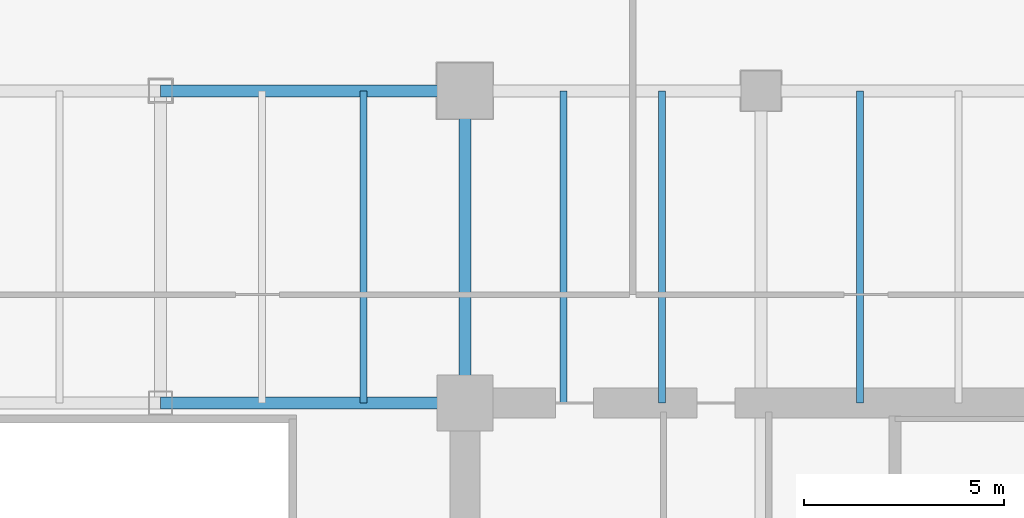
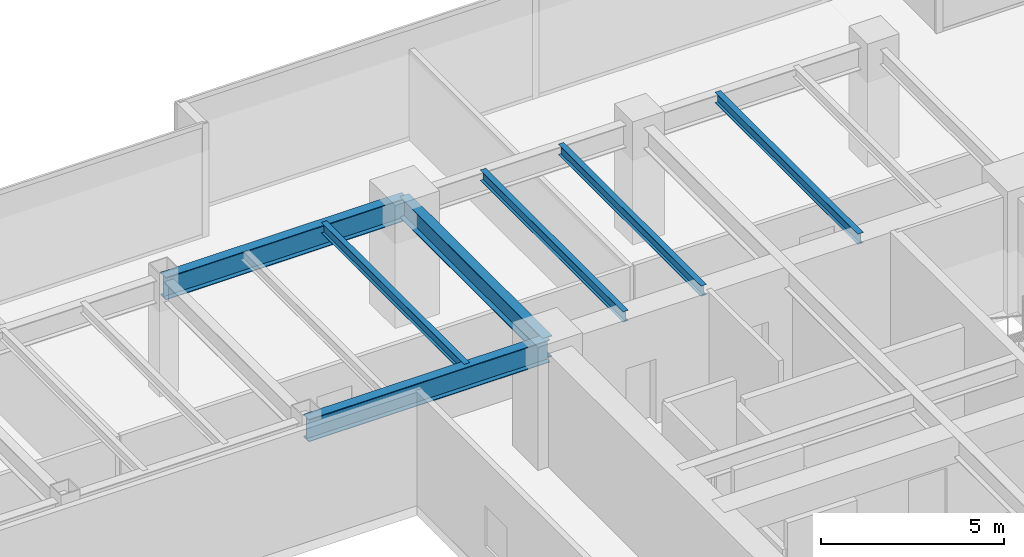
# One storey, part 19 of 36: 7 beams.
"""IFC4 building model written with IfcOpenShell, lengths in metres."""

from ifc_helpers import new_model, si_unit, direction, frame, origin, origin_2d, place, context, subcontext, project, spatial, i_section, extrude, source, transform, mapped, material, material_profile, profile_set, type_object, type_shapes, element, save


model = new_model("IFC4")

# Units and contexts
model_context = context("Model", 3, precision=1e-05, world=origin(), true_north=direction((0.0, 1.0)))
body_context = subcontext(model_context, "Body", "Model", "MODEL_VIEW")
ifc_project = project(units=[si_unit("LENGTHUNIT", "METRE"), si_unit("AREAUNIT", "SQUARE_METRE"), si_unit("VOLUMEUNIT", "CUBIC_METRE"), si_unit("PLANEANGLEUNIT", "RADIAN"), si_unit("MASSUNIT", "GRAM", prefix="KILO")], contexts=[model_context])

# Site, building, storey
site_placement = place(None, origin())
site = spatial("IfcSite", under=ifc_project, at=site_placement, CompositionType="ELEMENT")
building_placement = place(site_placement, origin())
building = spatial("IfcBuilding", under=site, at=building_placement, Name="Haelvirn Gate Laboratories", CompositionType="ELEMENT")
storey_placement = place(building_placement, frame((0.0, 0.0, 53.89990234375)))
storey = spatial("IfcBuildingStorey", under=building, at=storey_placement, Name="L13", CompositionType="ELEMENT", Elevation=53.89990234375)

# Beams
ifc_material = material(Name="Steel SM355", Category="steel")
ifc_material_profile_1 = material_profile(ifc_material, i_section(OverallWidth=0.300048828125, OverallDepth=0.699951171875, WebThickness=0.012939453125, FlangeThickness=0.02392578125, at=origin_2d()), Name="H-700x300x13x24")
ifc_profile_set_1 = profile_set([ifc_material_profile_1], Name="Steel SM355")
beam_type_1 = type_object("IfcBeamType", Name="BM-G-700", PredefinedType="BEAM", material=ifc_profile_set_1)
shared_shape_1 = source(origin(), body_context, "Body", "SweptSolid", [
    extrude(i_section(OverallWidth=0.300048828125, OverallDepth=0.699951171875, WebThickness=0.012939453125, FlangeThickness=0.02392578125, at=origin_2d()), origin(), (0.0, 0.0, 1.0), 7.800048828125),
])
type_shapes(beam_type_1, [shared_shape_1])
beam_placement = place(storey_placement, frame((52.60009765625, 33.800048828125, 3.43017578125), z_axis=(0.0, 1.0, 0.0), x_axis=(-1.0, 0.0, 0.0)))
element("IfcBeam", 1, at=beam_placement, inside=storey, type_object=beam_type_1, Name="L13 Frame Girder X52.6 (33.8-41.6)", PredefinedType="BEAM", context=body_context, shape_type="MappedRepresentation", body=[
    mapped(shared_shape_1, transform((0.0, 0.0, 0.0), scale=1.0)),
])
ifc_material_profile_2 = material_profile(ifc_material, i_section(OverallWidth=0.300048828125, OverallDepth=0.75, WebThickness=0.013916015625, FlangeThickness=0.02392578125, at=origin_2d()), Name="H-750x300x14x24")
ifc_profile_set_2 = profile_set([ifc_material_profile_2], Name="Steel SM355")
beam_type_2 = type_object("IfcBeamType", Name="BM-G-750", PredefinedType="BEAM", material=ifc_profile_set_2)
shared_shape_2 = source(origin(), body_context, "Body", "SweptSolid", [
    extrude(i_section(OverallWidth=0.300048828125, OverallDepth=0.75, WebThickness=0.013916015625, FlangeThickness=0.02392578125, at=origin_2d()), origin(), (0.0, 0.0, 1.0), 7.60009765625),
])
type_shapes(beam_type_2, [shared_shape_2])
for number, where, z_axis, x_axis, name in (
    (2, (45.0, 33.800048828125, 3.405029296875), (1.0, 0.0, 0.0), (0.0, 1.0, 0.0), "L13 Primary Girder Y33.8 (45.0-52.6)"),
    (3, (45.0, 41.60009765625, 3.405029296875), (1.0, 0.0, 0.0), (0.0, 1.0, 0.0), "L13 Primary Girder Y41.6 (45.0-52.6)"),
):
    element("IfcBeam", number, at=place(storey_placement, frame(where, z_axis=z_axis, x_axis=x_axis)), inside=storey, type_object=beam_type_2, Name=name, PredefinedType="BEAM", context=body_context, shape_type="MappedRepresentation", body=[
        mapped(shared_shape_2, transform((0.0, 0.0, 0.0), scale=1.0)),
    ])
ifc_material_profile_3 = material_profile(ifc_material, i_section(OverallWidth=0.175048828125, OverallDepth=0.35009765625, WebThickness=0.007080078125, FlangeThickness=0.010986328125, at=origin_2d()), Name="H-350x175x7x11")
ifc_profile_set_3 = profile_set([ifc_material_profile_3], Name="Steel SM355")
beam_type_3 = type_object("IfcBeamType", Name="BM-J-350", PredefinedType="JOIST", material=ifc_profile_set_3)
shared_shape_3 = source(origin(), body_context, "Body", "SweptSolid", [
    extrude(i_section(OverallWidth=0.175048828125, OverallDepth=0.35009765625, WebThickness=0.007080078125, FlangeThickness=0.010986328125, at=origin_2d()), origin(), (0.0, 0.0, 1.0), 7.800048828125),
])
type_shapes(beam_type_3, [shared_shape_3])
for number, where, z_axis, x_axis, name in (
    (4, (50.070068359375, 33.800048828125, 3.60498046875), (0.0, 1.0, 0.0), (-1.0, 0.0, 0.0), "L13 Composite Lab Joist North X50.07"),
    (5, (55.070068359375, 33.800048828125, 3.60498046875), (0.0, 1.0, 0.0), (-1.0, 0.0, 0.0), "L13 Composite Lab Joist North X55.07"),
    (6, (57.530029296875, 33.800048828125, 3.60498046875), (0.0, 1.0, 0.0), (-1.0, 0.0, 0.0), "L13 Composite Lab Joist North X57.53"),
    (7, (62.469970703125, 33.800048828125, 3.60498046875), (0.0, 1.0, 0.0), (-1.0, 0.0, 0.0), "L13 Composite Lab Joist North X62.47"),
):
    element("IfcBeam", number, at=place(storey_placement, frame(where, z_axis=z_axis, x_axis=x_axis)), inside=storey, type_object=beam_type_3, Name=name, PredefinedType="JOIST", context=body_context, shape_type="MappedRepresentation", body=[
        mapped(shared_shape_3, transform((0.0, 0.0, 0.0), scale=1.0)),
    ])

save(model, "model.ifc")
